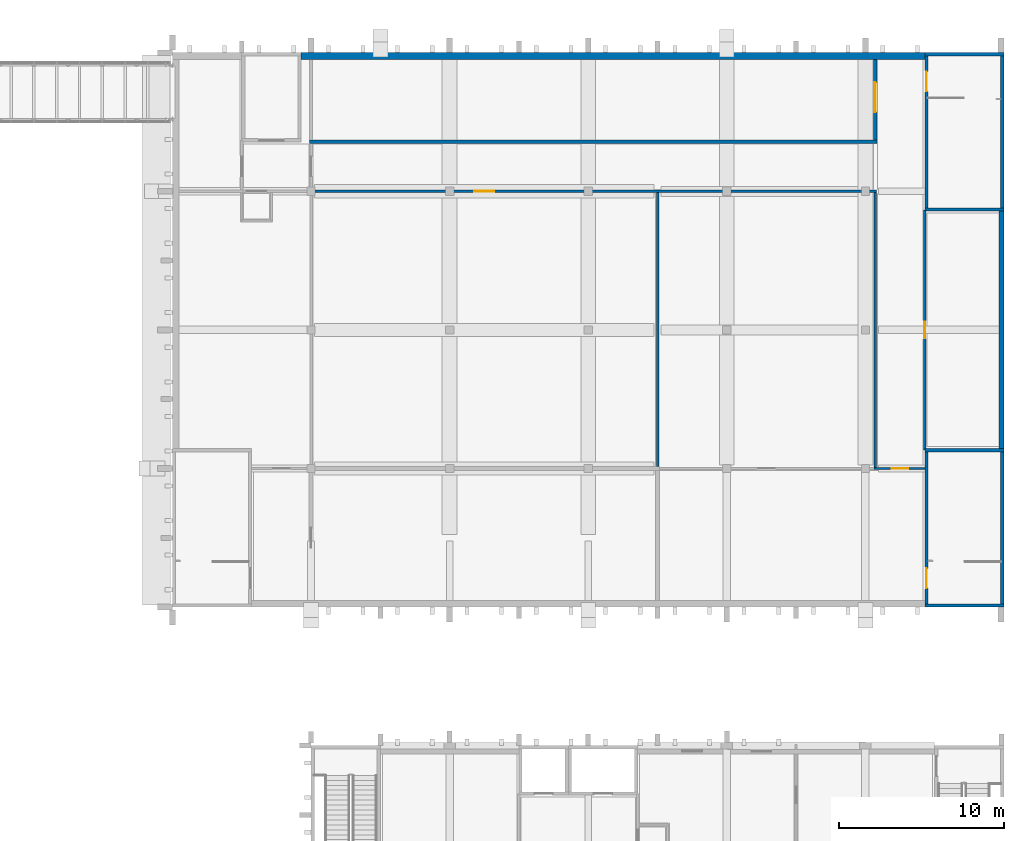
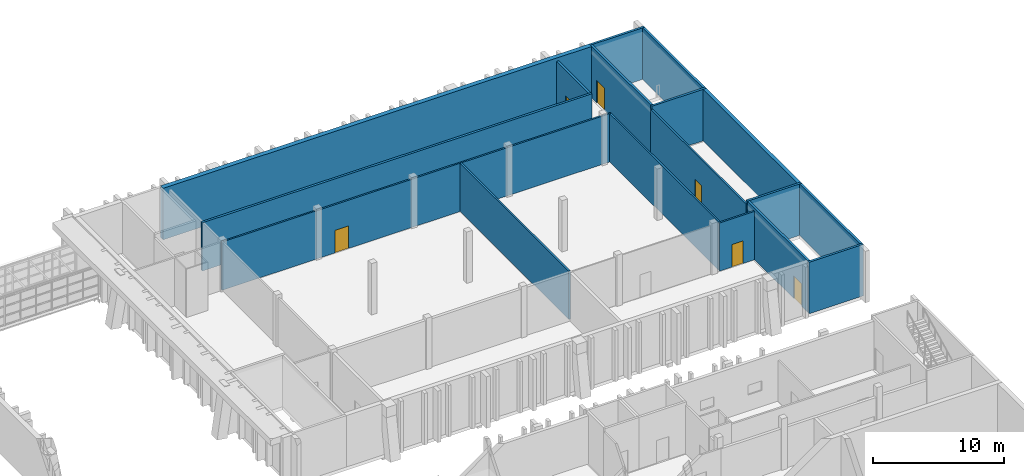
# One storey, part 54 of 86: 17 walls, 6 doors, 6 openings.
"""IFC4 building model written with IfcOpenShell, lengths in metres."""

from ifc_helpers import new_model, si_unit, direction, frame, frame_2d, origin, place, context, subcontext, project, spatial, rectangle, extrude, material, layer, layer_set, type_object, element, fill, save


model = new_model("IFC4")

# Units and contexts
model_context = context("Model", 3, precision=1e-05, world=origin(), true_north=direction((0.0, 1.0)))
body_context = subcontext(model_context, "Body", "Model", "MODEL_VIEW")
ifc_project = project(units=[si_unit("LENGTHUNIT", "METRE"), si_unit("AREAUNIT", "SQUARE_METRE"), si_unit("VOLUMEUNIT", "CUBIC_METRE"), si_unit("PLANEANGLEUNIT", "RADIAN"), si_unit("MASSUNIT", "GRAM", prefix="KILO")], contexts=[model_context])

# Site, building, storey
site_placement = place(None, origin())
site = spatial("IfcSite", under=ifc_project, at=site_placement, CompositionType="ELEMENT")
building_placement = place(site_placement, origin())
building = spatial("IfcBuilding", under=site, at=building_placement, Name="Kiln Court Media Centre", CompositionType="ELEMENT")
storey_placement = place(building_placement, frame((0.0, 0.0, 10.199951171875)))
storey = spatial("IfcBuildingStorey", under=building, at=storey_placement, Name="L02", CompositionType="ELEMENT", Elevation=10.199951171875)

# Wall
ifc_material_1 = material(Name="Concrete block masonry M10", Category="masonry")
ifc_layer_1 = layer(ifc_material_1, 0.199951171875)
ifc_layer_set_1 = layer_set([ifc_layer_1], Name="Block plant room wall 200 EI 120")
wall_type_1 = type_object("IfcWallType", Name="Block plant room wall 200 EI 120", PredefinedType="SOLIDWALL", material=ifc_layer_set_1)
wall_1_placement = place(storey_placement, frame((125.89990234375, 61.800048828125, 0.0), z_axis=(0.0, 0.0, 1.0), x_axis=(1.0, 0.0, 0.0)))
element("IfcWall", 1, at=wall_1_placement, inside=storey, type_object=wall_type_1, Name="L02 block plant room wall", PredefinedType="SOLIDWALL", context=body_context, shape_type="SweptSolid", body=[
    extrude(rectangle(XDim=34.400146484375, YDim=0.199951171875, at=frame_2d((17.2001953125, 0.0))), origin(), (0.0, 0.0, 1.0), 4.5),
])

# Wall, opening, door
wall_2_placement = place(storey_placement, frame((160.199951171875, 61.89990234375, 0.0), z_axis=(0.0, 0.0, 1.0), x_axis=(0.0, 1.0, 0.0)))
wall_2 = element("IfcWall", 2, at=wall_2_placement, inside=storey, type_object=wall_type_1, Name="L02 block plant room wall", PredefinedType="SOLIDWALL", context=body_context, shape_type="SweptSolid", body=[
    extrude(rectangle(XDim=4.900146484375, YDim=0.199951171875, at=frame_2d((2.4501953125, 0.0))), origin(), (0.0, 0.0, 1.0), 4.5),
])
opening_1_placement = place(wall_2_placement, frame((1.699951171875, 0.0, 0.0)))
opening_1 = element("IfcOpeningElement", 3, at=opening_1_placement, cuts=wall_2, Name="Opening D2032", PredefinedType="OPENING", context=body_context, shape_type="SweptSolid", body=[
    extrude(rectangle(XDim=1.800048828125, YDim=2.10009765625, at=frame_2d((0.89990234375, 1.050048828125))), frame((0.0, 0.10986328125, 0.0), z_axis=(0.0, -1.0, 0.0), x_axis=(1.0, 0.0, 0.0)), (0.0, 0.0, 1.0), 0.219970703125),
])
ifc_material_2 = material(Name="Steel S275", Category="steel")
door_type_1 = type_object("IfcDoorType", Name="Steel plant double door 1800 x 2100 FD180", OperationType="DOUBLE_DOOR_SINGLE_SWING", PredefinedType="DOOR", material=ifc_material_2)
door_1_placement = place(opening_1_placement, origin())
door_1 = element("IfcDoor", 4, at=door_1_placement, inside=storey, type_object=door_type_1, Name="Studio Corridor / Television Plant Room", OperationType="DOUBLE_DOOR_SINGLE_SWING", OverallHeight=2.10009765625, OverallWidth=1.800048828125, PredefinedType="DOOR", context=body_context, shape_type="SweptSolid", body=[
    extrude(rectangle(XDim=1.800048828125, YDim=2.10009765625, at=frame_2d((0.89990234375, 1.050048828125))), frame((0.0, 0.02490234375, 0.0), z_axis=(0.0, -1.0, 0.0), x_axis=(1.0, 0.0, 0.0)), (0.0, 0.0, 1.0), 0.050048828125),
])
fill(opening_1, door_1)

# Walls
ifc_material_3 = material(Name="Concrete C40/50", Category="concrete")
ifc_layer_2 = layer(ifc_material_3, 0.39990234375)
ifc_layer_set_2 = layer_set([ifc_layer_2], Name="Concrete C40/50 auditorium wall 400")
wall_type_2 = type_object("IfcWallType", Name="Concrete C40/50 auditorium wall 400", PredefinedType="SHEAR", material=ifc_layer_set_2)
wall_3_placement = place(storey_placement, frame((125.39990234375, 67.0, 0.0), z_axis=(0.0, 0.0, 1.0), x_axis=(1.0, 0.0, 0.0)))
element("IfcWall", 5, at=wall_3_placement, inside=storey, type_object=wall_type_2, Name="L02-W-1140", PredefinedType="SHEAR", context=body_context, shape_type="SweptSolid", body=[
    extrude(rectangle(XDim=37.800048828125, YDim=0.39990234375, at=frame_2d((18.89990234375, 0.0))), origin(), (0.0, 0.0, 1.0), 4.800048828125),
])
ifc_material_4 = material(Name="Concrete C40/50", Category="concrete")
ifc_layer_3 = layer(ifc_material_4, 0.300048828125)
ifc_layer_set_3 = layer_set([ifc_layer_3], Name="Concrete C40/50 party wall 300")
wall_type_3 = type_object("IfcWallType", Name="Concrete C40/50 party wall 300", PredefinedType="SOLIDWALL", material=ifc_layer_set_3)
wall_4_placement = place(storey_placement, frame((167.849609375, 57.60009765625, 0.0), z_axis=(0.0, 0.0, 1.0), x_axis=(0.0, -1.0, 0.0)))
element("IfcWall", 6, at=wall_4_placement, inside=storey, type_object=wall_type_3, Name="L02-W-1135", PredefinedType="SOLIDWALL", context=body_context, shape_type="SweptSolid", body=[
    extrude(rectangle(XDim=14.400146484375, YDim=0.300048828125, at=frame_2d((7.2001953125, 0.0))), origin(), (0.0, 0.0, 1.0), 4.800048828125),
])
ifc_material_5 = material(Name="Concrete C40/50", Category="concrete")
ifc_layer_4 = layer(ifc_material_5, 0.199951171875)
ifc_layer_set_4 = layer_set([ifc_layer_4], Name="Concrete C40/50 shear wall 200")
wall_type_4 = type_object("IfcWallType", Name="Concrete C40/50 shear wall 200", PredefinedType="SHEAR", material=ifc_layer_set_4)
for number, where, z_axis, x_axis, name in (
    (7, (167.99951171875, 33.699951171875, 0.0), (0.0, 0.0, 1.0), (-1.0, 0.0, 0.0), "L02-W-1052"),
    (8, (163.199951171875, 43.10009765625, 0.0), (0.0, 0.0, 1.0), (1.0, 0.0, 0.0), "L02-W-1053"),
):
    element("IfcWall", number, at=place(storey_placement, frame(where, z_axis=z_axis, x_axis=x_axis)), inside=storey, type_object=wall_type_4, Name=name, PredefinedType="SHEAR", context=body_context, shape_type="SweptSolid", body=[
        extrude(rectangle(XDim=4.799560546875, YDim=0.199951171875, at=frame_2d((2.39990234375, 0.0))), origin(), (0.0, 0.0, 1.0), 4.800048828125),
    ])

# Wall, opening, door
wall_5_placement = place(storey_placement, frame((163.300048828125, 33.800048828125, 0.0), z_axis=(0.0, 0.0, 1.0), x_axis=(0.0, 1.0, 0.0)))
wall_5 = element("IfcWall", 9, at=wall_5_placement, inside=storey, type_object=wall_type_4, Name="L02-W-1054", PredefinedType="SHEAR", context=body_context, shape_type="SweptSolid", body=[
    extrude(rectangle(XDim=9.199951171875, YDim=0.199951171875, at=frame_2d((4.60009765625, 0.0))), origin(), (0.0, 0.0, 1.0), 4.800048828125),
])
opening_2_placement = place(wall_5_placement, frame((0.949951171875, 0.0, 0.0)))
opening_2 = element("IfcOpeningElement", 10, at=opening_2_placement, cuts=wall_5, Name="Opening D2006", PredefinedType="OPENING", context=body_context, shape_type="SweptSolid", body=[
    extrude(rectangle(XDim=1.199951171875, YDim=2.10009765625, at=frame_2d((0.60009765625, 1.050048828125))), frame((0.0, 0.10986328125, 0.0), z_axis=(0.0, -1.0, 0.0), x_axis=(1.0, 0.0, 0.0)), (0.0, 0.0, 1.0), 0.219970703125),
])
ifc_material_6 = material(Name="Steel S275", Category="steel")
door_type_2 = type_object("IfcDoorType", Name="Steel stair door 1200 x 2100 FD180", OperationType="SINGLE_SWING_LEFT", PredefinedType="DOOR", material=ifc_material_6)
door_2_placement = place(opening_2_placement, origin())
door_2 = element("IfcDoor", 11, at=door_2_placement, inside=storey, type_object=door_type_2, Name="Production Planning / Stair 14", OperationType="SINGLE_SWING_LEFT", OverallHeight=2.10009765625, OverallWidth=1.199951171875, PredefinedType="DOOR", context=body_context, shape_type="SweptSolid", body=[
    extrude(rectangle(XDim=1.199951171875, YDim=2.10009765625, at=frame_2d((0.60009765625, 1.050048828125))), frame((0.0, 0.02490234375, 0.0), z_axis=(0.0, -1.0, 0.0), x_axis=(1.0, 0.0, 0.0)), (0.0, 0.0, 1.0), 0.050048828125),
])
fill(opening_2, door_2)

# Walls
wall_6_placement = place(storey_placement, frame((167.899658203125, 43.0, 0.0), z_axis=(0.0, 0.0, 1.0), x_axis=(0.0, -1.0, 0.0)))
element("IfcWall", 12, at=wall_6_placement, inside=storey, type_object=wall_type_4, Name="L02-W-1055", PredefinedType="SHEAR", context=body_context, shape_type="SweptSolid", body=[
    extrude(rectangle(XDim=9.199951171875, YDim=0.199951171875, at=frame_2d((4.60009765625, 0.0))), origin(), (0.0, 0.0, 1.0), 4.800048828125),
])
for number, where, z_axis, x_axis, name in (
    (13, (167.99951171875, 57.699951171875, 0.0), (0.0, 0.0, 1.0), (-1.0, 0.0, 0.0), "L02-W-1056"),
    (14, (163.199951171875, 67.10009765625, 0.0), (0.0, 0.0, 1.0), (1.0, 0.0, 0.0), "L02-W-1057"),
):
    element("IfcWall", number, at=place(storey_placement, frame(where, z_axis=z_axis, x_axis=x_axis)), inside=storey, type_object=wall_type_4, Name=name, PredefinedType="SHEAR", context=body_context, shape_type="SweptSolid", body=[
        extrude(rectangle(XDim=4.799560546875, YDim=0.199951171875, at=frame_2d((2.39990234375, 0.0))), origin(), (0.0, 0.0, 1.0), 4.800048828125),
    ])

# Wall, opening, door
wall_7_placement = place(storey_placement, frame((163.300048828125, 57.800048828125, 0.0), z_axis=(0.0, 0.0, 1.0), x_axis=(0.0, 1.0, 0.0)))
wall_7 = element("IfcWall", 15, at=wall_7_placement, inside=storey, type_object=wall_type_4, Name="L02-W-1058", PredefinedType="SHEAR", context=body_context, shape_type="SweptSolid", body=[
    extrude(rectangle(XDim=9.199951171875, YDim=0.199951171875, at=frame_2d((4.60009765625, 0.0))), origin(), (0.0, 0.0, 1.0), 4.800048828125),
])
opening_3_placement = place(wall_7_placement, frame((7.050048828125, 0.0, 0.0)))
opening_3 = element("IfcOpeningElement", 16, at=opening_3_placement, cuts=wall_7, Name="Opening D2007", PredefinedType="OPENING", context=body_context, shape_type="SweptSolid", body=[
    extrude(rectangle(XDim=1.199951171875, YDim=2.10009765625, at=frame_2d((0.60009765625, 1.050048828125))), frame((0.0, 0.10986328125, 0.0), z_axis=(0.0, -1.0, 0.0), x_axis=(1.0, 0.0, 0.0)), (0.0, 0.0, 1.0), 0.219970703125),
])
door_3_placement = place(opening_3_placement, origin())
door_3 = element("IfcDoor", 17, at=door_3_placement, inside=storey, type_object=door_type_2, Name="Stair 15 / Studio Corridor", OperationType="SINGLE_SWING_RIGHT", OverallHeight=2.10009765625, OverallWidth=1.199951171875, PredefinedType="DOOR", context=body_context, shape_type="SweptSolid", body=[
    extrude(rectangle(XDim=1.199951171875, YDim=2.10009765625, at=frame_2d((0.60009765625, 1.050048828125))), frame((0.0, 0.02490234375, 0.0), z_axis=(0.0, -1.0, 0.0), x_axis=(1.0, 0.0, 0.0)), (0.0, 0.0, 1.0), 0.050048828125),
])
fill(opening_3, door_3)

# Wall
wall_8_placement = place(storey_placement, frame((167.899658203125, 67.0, 0.0), z_axis=(0.0, 0.0, 1.0), x_axis=(0.0, -1.0, 0.0)))
element("IfcWall", 18, at=wall_8_placement, inside=storey, type_object=wall_type_4, Name="L02-W-1059", PredefinedType="SHEAR", context=body_context, shape_type="SweptSolid", body=[
    extrude(rectangle(XDim=9.199951171875, YDim=0.199951171875, at=frame_2d((4.60009765625, 0.0))), origin(), (0.0, 0.0, 1.0), 4.800048828125),
])

# Wall, opening, door
ifc_material_7 = material(Name="Gypsum plasterboard", Category="gypsum")
ifc_layer_5 = layer(ifc_material_7, 0.14990234375)
ifc_layer_set_5 = layer_set([ifc_layer_5], Name="Gypsum corridor partition 150 EI 60")
wall_type_5 = type_object("IfcWallType", Name="Gypsum corridor partition 150 EI 60", PredefinedType="PARTITIONING", material=ifc_layer_set_5)
wall_9_placement = place(storey_placement, frame((160.125, 42.0, 0.0), z_axis=(0.0, 0.0, 1.0), x_axis=(1.0, 0.0, 0.0)))
wall_9 = element("IfcWall", 19, at=wall_9_placement, inside=storey, type_object=wall_type_5, Name="L02 gypsum corridor partition", PredefinedType="PARTITIONING", context=body_context, shape_type="SweptSolid", body=[
    extrude(rectangle(XDim=3.074951171875, YDim=0.14990234375, at=frame_2d((1.53759765625, 0.0))), origin(), (0.0, 0.0, 1.0), 4.5),
])
opening_4_placement = place(wall_9_placement, frame((1.074951171875, 0.0, 0.0)))
opening_4 = element("IfcOpeningElement", 20, at=opening_4_placement, cuts=wall_9, Name="Opening D2031", PredefinedType="OPENING", context=body_context, shape_type="SweptSolid", body=[
    extrude(rectangle(XDim=1.0, YDim=2.10009765625, at=frame_2d((0.5, 1.050048828125))), frame((0.0, 0.0849609375, 0.0), z_axis=(0.0, -1.0, 0.0), x_axis=(1.0, 0.0, 0.0)), (0.0, 0.0, 1.0), 0.169921875),
])
ifc_material_8 = material(Name="Steel S275", Category="steel")
door_type_3 = type_object("IfcDoorType", Name="Steel corridor door 1000 x 2100 FD30S", OperationType="SINGLE_SWING_LEFT", PredefinedType="DOOR", material=ifc_material_8)
door_4_placement = place(opening_4_placement, origin())
door_4 = element("IfcDoor", 21, at=door_4_placement, inside=storey, type_object=door_type_3, Name="Production Planning / Studio Corridor", OperationType="SINGLE_SWING_RIGHT", OverallHeight=2.10009765625, OverallWidth=1.0, PredefinedType="DOOR", context=body_context, shape_type="SweptSolid", body=[
    extrude(rectangle(XDim=1.0, YDim=2.10009765625, at=frame_2d((0.5, 1.050048828125))), frame((0.0, 0.02490234375, 0.0), z_axis=(0.0, -1.0, 0.0), x_axis=(1.0, 0.0, 0.0)), (0.0, 0.0, 1.0), 0.050048828125),
])
fill(opening_4, door_4)

wall_10_placement = place(storey_placement, frame((125.925048828125, 58.800048828125, 0.0), z_axis=(0.0, 0.0, 1.0), x_axis=(1.0, 0.0, 0.0)))
wall_10 = element("IfcWall", 22, at=wall_10_placement, inside=storey, type_object=wall_type_5, Name="L02 gypsum corridor partition", PredefinedType="PARTITIONING", context=body_context, shape_type="SweptSolid", body=[
    extrude(rectangle(XDim=34.349853515625, YDim=0.14990234375, at=frame_2d((17.1748046875, 0.0))), origin(), (0.0, 0.0, 1.0), 4.5),
])
opening_5_placement = place(wall_10_placement, frame((9.97509765625, 0.0, 0.0)))
opening_5 = element("IfcOpeningElement", 23, at=opening_5_placement, cuts=wall_10, Name="Opening D2055", PredefinedType="OPENING", context=body_context, shape_type="SweptSolid", body=[
    extrude(rectangle(XDim=1.199951171875, YDim=2.10009765625, at=frame_2d((0.60009765625, 1.050048828125))), frame((0.0, 0.0849609375, 0.0), z_axis=(0.0, -1.0, 0.0), x_axis=(1.0, 0.0, 0.0)), (0.0, 0.0, 1.0), 0.169921875),
])
ifc_material_9 = material(Name="Steel S275", Category="steel")
door_type_4 = type_object("IfcDoorType", Name="Steel corridor door 1200 x 2100 FD30S", OperationType="SINGLE_SWING_LEFT", PredefinedType="DOOR", material=ifc_material_9)
door_5_placement = place(opening_5_placement, origin())
door_5 = element("IfcDoor", 24, at=door_5_placement, inside=storey, type_object=door_type_4, Name="Edit and Review Suites / Plant Corridor", OperationType="SINGLE_SWING_RIGHT", OverallHeight=2.10009765625, OverallWidth=1.199951171875, PredefinedType="DOOR", context=body_context, shape_type="SweptSolid", body=[
    extrude(rectangle(XDim=1.199951171875, YDim=2.10009765625, at=frame_2d((0.60009765625, 1.050048828125))), frame((0.0, 0.02490234375, 0.0), z_axis=(0.0, -1.0, 0.0), x_axis=(1.0, 0.0, 0.0)), (0.0, 0.0, 1.0), 0.050048828125),
])
fill(opening_5, door_5)

# Walls
wall_11_placement = place(storey_placement, frame((147.0, 42.125, 0.0), z_axis=(0.0, 0.0, 1.0), x_axis=(0.0, 1.0, 0.0)))
element("IfcWall", 25, at=wall_11_placement, inside=storey, type_object=wall_type_5, Name="L02 gypsum corridor partition", PredefinedType="PARTITIONING", context=body_context, shape_type="SweptSolid", body=[
    extrude(rectangle(XDim=16.60009765625, YDim=0.14990234375, at=frame_2d((8.300048828125, 0.0))), origin(), (0.0, 0.0, 1.0), 4.5),
])
wall_12_placement = place(storey_placement, frame((160.199951171875, 42.074951171875, 0.0), z_axis=(0.0, 0.0, 1.0), x_axis=(0.0, 1.0, 0.0)))
element("IfcWall", 26, at=wall_12_placement, inside=storey, type_object=wall_type_5, Name="L02 gypsum corridor partition", PredefinedType="PARTITIONING", context=body_context, shape_type="SweptSolid", body=[
    extrude(rectangle(XDim=16.650146484375, YDim=0.14990234375, at=frame_2d((8.3251953125, 0.0))), origin(), (0.0, 0.0, 1.0), 4.5),
])

# Wall, opening, door
wall_13_placement = place(storey_placement, frame((163.199951171875, 43.125, 0.0), z_axis=(0.0, 0.0, 1.0), x_axis=(0.0, 1.0, 0.0)))
wall_13 = element("IfcWall", 27, at=wall_13_placement, inside=storey, type_object=wall_type_5, Name="L02 gypsum corridor partition", PredefinedType="PARTITIONING", context=body_context, shape_type="SweptSolid", body=[
    extrude(rectangle(XDim=14.550048828125, YDim=0.14990234375, at=frame_2d((7.27490234375, 0.0))), origin(), (0.0, 0.0, 1.0), 4.5),
])
opening_6_placement = place(wall_13_placement, frame((6.77490234375, 0.0, 0.0)))
opening_6 = element("IfcOpeningElement", 28, at=opening_6_placement, cuts=wall_13, Name="Opening D2054", PredefinedType="OPENING", context=body_context, shape_type="SweptSolid", body=[
    extrude(rectangle(XDim=1.0, YDim=2.10009765625, at=frame_2d((0.5, 1.050048828125))), frame((0.0, 0.0849609375, 0.0), z_axis=(0.0, -1.0, 0.0), x_axis=(1.0, 0.0, 0.0)), (0.0, 0.0, 1.0), 0.169921875),
])
door_6_placement = place(opening_6_placement, origin())
door_6 = element("IfcDoor", 29, at=door_6_placement, inside=storey, type_object=door_type_3, Name="Studio Corridor / Dressing Rooms", OperationType="SINGLE_SWING_RIGHT", OverallHeight=2.10009765625, OverallWidth=1.0, PredefinedType="DOOR", context=body_context, shape_type="SweptSolid", body=[
    extrude(rectangle(XDim=1.0, YDim=2.10009765625, at=frame_2d((0.5, 1.050048828125))), frame((0.0, 0.02490234375, 0.0), z_axis=(0.0, -1.0, 0.0), x_axis=(1.0, 0.0, 0.0)), (0.0, 0.0, 1.0), 0.050048828125),
])
fill(opening_6, door_6)

save(model, "model.ifc")
